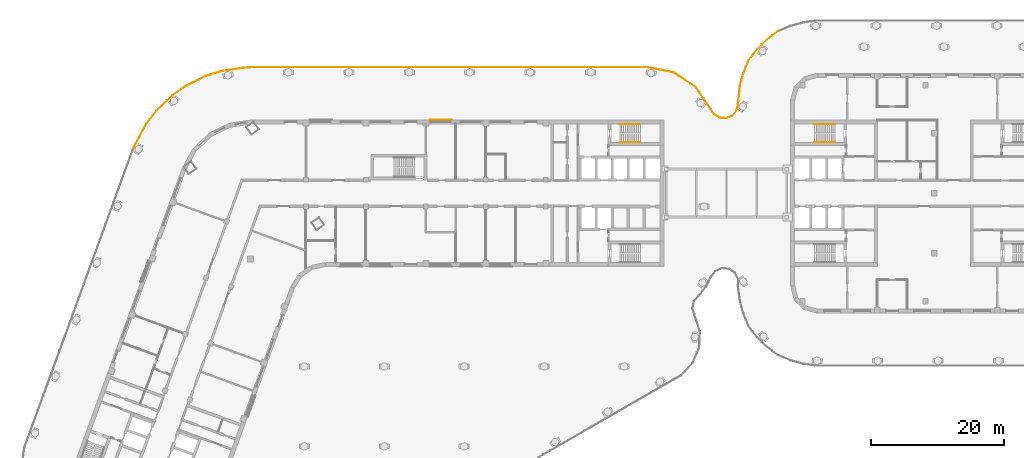
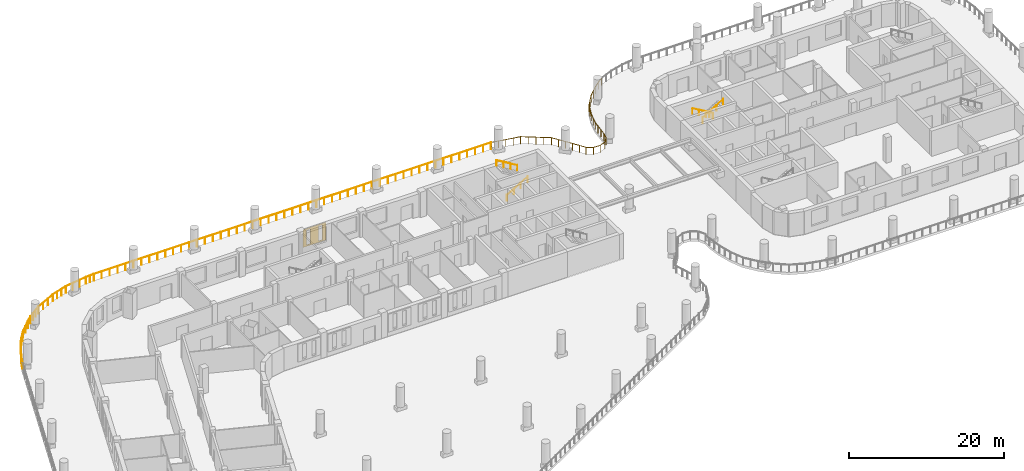
# One storey, part 15 of 18: 6 railings, 1 covering.
"""IFC4 building model written with IfcOpenShell, lengths in metres."""

from ifc_helpers import new_model, si_unit, direction, frame, origin, origin_2d, place, context, subcontext, project, spatial, polyline, circle, outline, extrude, material, material_profile, profile_set, type_object, element, save


model = new_model("IFC4")

# Units and contexts
model_context = context("Model", 3, precision=1e-05, world=origin(), true_north=direction((0.0, 1.0)))
body_context = subcontext(model_context, "Body", "Model", "MODEL_VIEW")
ifc_project = project(units=[si_unit("LENGTHUNIT", "METRE"), si_unit("AREAUNIT", "SQUARE_METRE"), si_unit("VOLUMEUNIT", "CUBIC_METRE"), si_unit("PLANEANGLEUNIT", "RADIAN"), si_unit("MASSUNIT", "GRAM", prefix="KILO")], contexts=[model_context])

# Site, building, storey
site_placement = place(None, origin())
site = spatial("IfcSite", under=ifc_project, at=site_placement, CompositionType="ELEMENT")
building_placement = place(site_placement, origin())
building = spatial("IfcBuilding", under=site, at=building_placement, Name="Skarvind Civic Tower", CompositionType="ELEMENT")
storey_placement = place(building_placement, frame((0.0, 0.0, 27.5)))
storey = spatial("IfcBuildingStorey", under=building, at=storey_placement, Name="L05", CompositionType="ELEMENT", Elevation=27.5)

# Railings
ifc_material_1 = material(Name="Stainless steel balustrade", Category="steel")
railing_type_1 = type_object("IfcRailingType", Name="GR1 GUARD 1100", PredefinedType="GUARDRAIL", material=ifc_material_1)
railing_1_placement = place(storey_placement, frame((28.19970703125, 134.353759765625, 0.0)))
element("IfcRailing", 1, at=railing_1_placement, inside=storey, type_object=railing_type_1, Name="PODIUM ROOF TERRACE GUARD", PredefinedType="GUARDRAIL", context=body_context, shape_type="SweptSolid", body=[
    extrude(circle(Radius=0.02392578125, at=origin_2d()), frame((0.0, 0.0, 1.076171875), z_axis=(0.410255540654, 0.911970608826, 0.0), x_axis=(-0.911970608826, 0.410255540654, 0.0)), (0.0, 0.0, 1.0), 1.209228515625),
    extrude(circle(Radius=0.02392578125, at=origin_2d()), frame((0.49609375, 1.102783203125, 1.076171875), z_axis=(0.476554155885, 0.879145116866, 0.0), x_axis=(-0.879145116866, 0.476554155885, 0.0)), (0.0, 0.0, 1.0), 3.337158203125),
    extrude(circle(Radius=0.02392578125, at=origin_2d()), frame((2.08642578125, 4.03662109375, 1.076171875), z_axis=(0.606069734719, 0.795411514034, 0.0), x_axis=(-0.795411514034, 0.606069734719, 0.0)), (0.0, 0.0, 1.0), 2.496337890625),
    extrude(circle(Radius=0.02392578125, at=origin_2d()), frame((3.599365234375, 6.022216796875, 1.076171875), z_axis=(0.721205384488, 0.692721295606, 0.0), x_axis=(-0.692721295606, 0.721205384488, 0.0)), (0.0, 0.0, 1.0), 3.32568359375),
    extrude(circle(Radius=0.02392578125, at=origin_2d()), frame((5.997802734375, 8.325927734375, 1.076171875), z_axis=(0.819117032417, 0.573626435239, 0.0), x_axis=(-0.573626435239, 0.819117032417, 0.0)), (0.0, 0.0, 1.0), 2.49609375),
    extrude(circle(Radius=0.02392578125, at=origin_2d()), frame((8.04248046875, 9.7578125, 1.076171875), z_axis=(0.89763381753, 0.440742021626, 0.0), x_axis=(-0.440742021626, 0.89763381753, 0.0)), (0.0, 0.0, 1.0), 3.32568359375),
    extrude(circle(Radius=0.02392578125, at=origin_2d()), frame((11.02783203125, 11.2236328125, 1.076171875), z_axis=(0.954738939849, 0.297445048262, 0.0), x_axis=(-0.297445048262, 0.954738939849, 0.0)), (0.0, 0.0, 1.0), 2.49609375),
    extrude(circle(Radius=0.02392578125, at=origin_2d()), frame((13.410888671875, 11.966064453125, 1.076171875), z_axis=(0.989118056707, 0.147123994973, 0.0), x_axis=(-0.147123994973, 0.989118056707, 0.0)), (0.0, 0.0, 1.0), 3.337158203125),
    extrude(circle(Radius=0.02392578125, at=origin_2d()), frame((16.711669921875, 12.45703125, 1.076171875), z_axis=(0.997282603645, 0.073670947244, 0.0), x_axis=(-0.073670947244, 0.997282603645, 0.0)), (0.0, 0.0, 1.0), 1.20947265625),
    extrude(circle(Radius=0.02392578125, at=origin_2d()), frame((17.91796875, 12.546142578125, 1.076171875), z_axis=(1.0, 0.0, 0.0), x_axis=(0.0, 1.0, 0.0)), (0.0, 0.0, 1.0), 59.350830078125),
    extrude(circle(Radius=0.02099609375, at=origin_2d()), origin(), (0.0, 0.0, 1.0), 1.052001953125),
    extrude(circle(Radius=0.02099609375, at=origin_2d()), frame((0.248046875, 0.55126953125, 0.0)), (0.0, 0.0, 1.0), 1.052001953125),
    extrude(circle(Radius=0.02099609375, at=origin_2d()), frame((0.49609375, 1.102783203125, 0.0)), (0.0, 0.0, 1.0), 1.052001953125),
    extrude(circle(Radius=0.02099609375, at=origin_2d()), frame((1.026123046875, 2.080810546875, 0.0)), (0.0, 0.0, 1.0), 1.052001953125),
    extrude(circle(Radius=0.02099609375, at=origin_2d()), frame((1.556396484375, 3.05859375, 0.0)), (0.0, 0.0, 1.0), 1.052001953125),
    extrude(circle(Radius=0.02099609375, at=origin_2d()), frame((2.08642578125, 4.03662109375, 0.0)), (0.0, 0.0, 1.0), 1.052001953125),
    extrude(circle(Radius=0.02099609375, at=origin_2d()), frame((2.5908203125, 4.698486328125, 0.0)), (0.0, 0.0, 1.0), 1.052001953125),
    extrude(circle(Radius=0.02099609375, at=origin_2d()), frame((3.094970703125, 5.3603515625, 0.0)), (0.0, 0.0, 1.0), 1.052001953125),
    extrude(circle(Radius=0.02099609375, at=origin_2d()), frame((3.599365234375, 6.022216796875, 0.0)), (0.0, 0.0, 1.0), 1.052001953125),
    extrude(circle(Radius=0.02099609375, at=origin_2d()), frame((4.39892578125, 6.7900390625, 0.0)), (0.0, 0.0, 1.0), 1.052001953125),
    extrude(circle(Radius=0.02099609375, at=origin_2d()), frame((5.1982421875, 7.55810546875, 0.0)), (0.0, 0.0, 1.0), 1.052001953125),
    extrude(circle(Radius=0.02099609375, at=origin_2d()), frame((5.997802734375, 8.325927734375, 0.0)), (0.0, 0.0, 1.0), 1.052001953125),
    extrude(circle(Radius=0.02099609375, at=origin_2d()), frame((6.679443359375, 8.80322265625, 0.0)), (0.0, 0.0, 1.0), 1.052001953125),
    extrude(circle(Radius=0.02099609375, at=origin_2d()), frame((7.36083984375, 9.280517578125, 0.0)), (0.0, 0.0, 1.0), 1.052001953125),
    extrude(circle(Radius=0.02099609375, at=origin_2d()), frame((8.04248046875, 9.7578125, 0.0)), (0.0, 0.0, 1.0), 1.052001953125),
    extrude(circle(Radius=0.02099609375, at=origin_2d()), frame((9.03759765625, 10.246337890625, 0.0)), (0.0, 0.0, 1.0), 1.052001953125),
    extrude(circle(Radius=0.02099609375, at=origin_2d()), frame((10.03271484375, 10.735107421875, 0.0)), (0.0, 0.0, 1.0), 1.052001953125),
    extrude(circle(Radius=0.02099609375, at=origin_2d()), frame((11.02783203125, 11.2236328125, 0.0)), (0.0, 0.0, 1.0), 1.052001953125),
    extrude(circle(Radius=0.02099609375, at=origin_2d()), frame((11.822265625, 11.47119140625, 0.0)), (0.0, 0.0, 1.0), 1.052001953125),
    extrude(circle(Radius=0.02099609375, at=origin_2d()), frame((12.616455078125, 11.718505859375, 0.0)), (0.0, 0.0, 1.0), 1.052001953125),
    extrude(circle(Radius=0.02099609375, at=origin_2d()), frame((13.410888671875, 11.966064453125, 0.0)), (0.0, 0.0, 1.0), 1.052001953125),
    extrude(circle(Radius=0.02099609375, at=origin_2d()), frame((14.51123046875, 12.129638671875, 0.0)), (0.0, 0.0, 1.0), 1.052001953125),
    extrude(circle(Radius=0.02099609375, at=origin_2d()), frame((15.611328125, 12.29345703125, 0.0)), (0.0, 0.0, 1.0), 1.052001953125),
    extrude(circle(Radius=0.02099609375, at=origin_2d()), frame((16.711669921875, 12.45703125, 0.0)), (0.0, 0.0, 1.0), 1.052001953125),
    extrude(circle(Radius=0.02099609375, at=origin_2d()), frame((17.31494140625, 12.50146484375, 0.0)), (0.0, 0.0, 1.0), 1.052001953125),
    extrude(circle(Radius=0.02099609375, at=origin_2d()), frame((17.91796875, 12.546142578125, 0.0)), (0.0, 0.0, 1.0), 1.052001953125),
    extrude(circle(Radius=0.02099609375, at=origin_2d()), frame((19.10498046875, 12.546142578125, 0.0)), (0.0, 0.0, 1.0), 1.052001953125),
    extrude(circle(Radius=0.02099609375, at=origin_2d()), frame((20.2919921875, 12.546142578125, 0.0)), (0.0, 0.0, 1.0), 1.052001953125),
    extrude(circle(Radius=0.02099609375, at=origin_2d()), frame((21.47900390625, 12.546142578125, 0.0)), (0.0, 0.0, 1.0), 1.052001953125),
    extrude(circle(Radius=0.02099609375, at=origin_2d()), frame((22.666015625, 12.546142578125, 0.0)), (0.0, 0.0, 1.0), 1.052001953125),
    extrude(circle(Radius=0.02099609375, at=origin_2d()), frame((23.85302734375, 12.546142578125, 0.0)), (0.0, 0.0, 1.0), 1.052001953125),
    extrude(circle(Radius=0.02099609375, at=origin_2d()), frame((25.0400390625, 12.546142578125, 0.0)), (0.0, 0.0, 1.0), 1.052001953125),
    extrude(circle(Radius=0.02099609375, at=origin_2d()), frame((26.22705078125, 12.546142578125, 0.0)), (0.0, 0.0, 1.0), 1.052001953125),
    extrude(circle(Radius=0.02099609375, at=origin_2d()), frame((27.4140625, 12.546142578125, 0.0)), (0.0, 0.0, 1.0), 1.052001953125),
    extrude(circle(Radius=0.02099609375, at=origin_2d()), frame((28.60107421875, 12.546142578125, 0.0)), (0.0, 0.0, 1.0), 1.052001953125),
    extrude(circle(Radius=0.02099609375, at=origin_2d()), frame((29.7880859375, 12.546142578125, 0.0)), (0.0, 0.0, 1.0), 1.052001953125),
    extrude(circle(Radius=0.02099609375, at=origin_2d()), frame((30.97509765625, 12.546142578125, 0.0)), (0.0, 0.0, 1.0), 1.052001953125),
    extrude(circle(Radius=0.02099609375, at=origin_2d()), frame((32.162109375, 12.546142578125, 0.0)), (0.0, 0.0, 1.0), 1.052001953125),
    extrude(circle(Radius=0.02099609375, at=origin_2d()), frame((33.34912109375, 12.546142578125, 0.0)), (0.0, 0.0, 1.0), 1.052001953125),
    extrude(circle(Radius=0.02099609375, at=origin_2d()), frame((34.5361328125, 12.546142578125, 0.0)), (0.0, 0.0, 1.0), 1.052001953125),
    extrude(circle(Radius=0.02099609375, at=origin_2d()), frame((35.72314453125, 12.546142578125, 0.0)), (0.0, 0.0, 1.0), 1.052001953125),
    extrude(circle(Radius=0.02099609375, at=origin_2d()), frame((36.91015625, 12.546142578125, 0.0)), (0.0, 0.0, 1.0), 1.052001953125),
    extrude(circle(Radius=0.02099609375, at=origin_2d()), frame((38.09716796875, 12.546142578125, 0.0)), (0.0, 0.0, 1.0), 1.052001953125),
    extrude(circle(Radius=0.02099609375, at=origin_2d()), frame((39.2841796875, 12.546142578125, 0.0)), (0.0, 0.0, 1.0), 1.052001953125),
    extrude(circle(Radius=0.02099609375, at=origin_2d()), frame((40.47119140625, 12.546142578125, 0.0)), (0.0, 0.0, 1.0), 1.052001953125),
    extrude(circle(Radius=0.02099609375, at=origin_2d()), frame((41.658203125, 12.546142578125, 0.0)), (0.0, 0.0, 1.0), 1.052001953125),
    extrude(circle(Radius=0.02099609375, at=origin_2d()), frame((42.84521484375, 12.546142578125, 0.0)), (0.0, 0.0, 1.0), 1.052001953125),
    extrude(circle(Radius=0.02099609375, at=origin_2d()), frame((44.0322265625, 12.546142578125, 0.0)), (0.0, 0.0, 1.0), 1.052001953125),
    extrude(circle(Radius=0.02099609375, at=origin_2d()), frame((45.21923828125, 12.546142578125, 0.0)), (0.0, 0.0, 1.0), 1.052001953125),
    extrude(circle(Radius=0.02099609375, at=origin_2d()), frame((46.40625, 12.546142578125, 0.0)), (0.0, 0.0, 1.0), 1.052001953125),
    extrude(circle(Radius=0.02099609375, at=origin_2d()), frame((47.59326171875, 12.546142578125, 0.0)), (0.0, 0.0, 1.0), 1.052001953125),
    extrude(circle(Radius=0.02099609375, at=origin_2d()), frame((48.780517578125, 12.546142578125, 0.0)), (0.0, 0.0, 1.0), 1.052001953125),
    extrude(circle(Radius=0.02099609375, at=origin_2d()), frame((49.967529296875, 12.546142578125, 0.0)), (0.0, 0.0, 1.0), 1.052001953125),
    extrude(circle(Radius=0.02099609375, at=origin_2d()), frame((51.154541015625, 12.546142578125, 0.0)), (0.0, 0.0, 1.0), 1.052001953125),
    extrude(circle(Radius=0.02099609375, at=origin_2d()), frame((52.341552734375, 12.546142578125, 0.0)), (0.0, 0.0, 1.0), 1.052001953125),
    extrude(circle(Radius=0.02099609375, at=origin_2d()), frame((53.528564453125, 12.546142578125, 0.0)), (0.0, 0.0, 1.0), 1.052001953125),
    extrude(circle(Radius=0.02099609375, at=origin_2d()), frame((54.715576171875, 12.546142578125, 0.0)), (0.0, 0.0, 1.0), 1.052001953125),
    extrude(circle(Radius=0.02099609375, at=origin_2d()), frame((55.902587890625, 12.546142578125, 0.0)), (0.0, 0.0, 1.0), 1.052001953125),
    extrude(circle(Radius=0.02099609375, at=origin_2d()), frame((57.089599609375, 12.546142578125, 0.0)), (0.0, 0.0, 1.0), 1.052001953125),
    extrude(circle(Radius=0.02099609375, at=origin_2d()), frame((58.276611328125, 12.546142578125, 0.0)), (0.0, 0.0, 1.0), 1.052001953125),
    extrude(circle(Radius=0.02099609375, at=origin_2d()), frame((59.463623046875, 12.546142578125, 0.0)), (0.0, 0.0, 1.0), 1.052001953125),
    extrude(circle(Radius=0.02099609375, at=origin_2d()), frame((60.650634765625, 12.546142578125, 0.0)), (0.0, 0.0, 1.0), 1.052001953125),
    extrude(circle(Radius=0.02099609375, at=origin_2d()), frame((61.837646484375, 12.546142578125, 0.0)), (0.0, 0.0, 1.0), 1.052001953125),
    extrude(circle(Radius=0.02099609375, at=origin_2d()), frame((63.024658203125, 12.546142578125, 0.0)), (0.0, 0.0, 1.0), 1.052001953125),
    extrude(circle(Radius=0.02099609375, at=origin_2d()), frame((64.211669921875, 12.546142578125, 0.0)), (0.0, 0.0, 1.0), 1.052001953125),
    extrude(circle(Radius=0.02099609375, at=origin_2d()), frame((65.398681640625, 12.546142578125, 0.0)), (0.0, 0.0, 1.0), 1.052001953125),
    extrude(circle(Radius=0.02099609375, at=origin_2d()), frame((66.585693359375, 12.546142578125, 0.0)), (0.0, 0.0, 1.0), 1.052001953125),
    extrude(circle(Radius=0.02099609375, at=origin_2d()), frame((67.772705078125, 12.546142578125, 0.0)), (0.0, 0.0, 1.0), 1.052001953125),
    extrude(circle(Radius=0.02099609375, at=origin_2d()), frame((68.959716796875, 12.546142578125, 0.0)), (0.0, 0.0, 1.0), 1.052001953125),
    extrude(circle(Radius=0.02099609375, at=origin_2d()), frame((70.146728515625, 12.546142578125, 0.0)), (0.0, 0.0, 1.0), 1.052001953125),
    extrude(circle(Radius=0.02099609375, at=origin_2d()), frame((71.333740234375, 12.546142578125, 0.0)), (0.0, 0.0, 1.0), 1.052001953125),
    extrude(circle(Radius=0.02099609375, at=origin_2d()), frame((72.520751953125, 12.546142578125, 0.0)), (0.0, 0.0, 1.0), 1.052001953125),
    extrude(circle(Radius=0.02099609375, at=origin_2d()), frame((73.707763671875, 12.546142578125, 0.0)), (0.0, 0.0, 1.0), 1.052001953125),
    extrude(circle(Radius=0.02099609375, at=origin_2d()), frame((74.894775390625, 12.546142578125, 0.0)), (0.0, 0.0, 1.0), 1.052001953125),
    extrude(circle(Radius=0.02099609375, at=origin_2d()), frame((76.081787109375, 12.546142578125, 0.0)), (0.0, 0.0, 1.0), 1.052001953125),
    extrude(circle(Radius=0.02099609375, at=origin_2d()), frame((77.268798828125, 12.546142578125, 0.0)), (0.0, 0.0, 1.0), 1.052001953125),
])
railing_2_placement = place(storey_placement, frame((105.468505859375, 146.89990234375, 0.0)))
element("IfcRailing", 2, at=railing_2_placement, inside=storey, type_object=railing_type_1, Name="PODIUM ROOF TERRACE GUARD", PredefinedType="GUARDRAIL", context=body_context, shape_type="SweptSolid", body=[
    extrude(circle(Radius=0.02392578125, at=origin_2d()), frame((0.0, 0.0, 1.076171875), z_axis=(0.981591338179, -0.190993310909, 0.0), x_axis=(0.190993310909, 0.981591338179, 0.0)), (0.0, 0.0, 1.0), 4.016357421875),
    extrude(circle(Radius=0.02392578125, at=origin_2d()), frame((3.9423828125, -0.76708984375, 1.076171875), z_axis=(0.835549610108, -0.549415006209, 0.0), x_axis=(0.549415006209, 0.835549610108, 0.0)), (0.0, 0.0, 1.0), 4.005859375),
    extrude(circle(Radius=0.02392578125, at=origin_2d()), frame((7.28955078125, -2.968017578125, 1.076171875), z_axis=(0.564322836703, -0.825554199296, 0.0), x_axis=(0.825554199296, 0.564322836703, 0.0)), (0.0, 0.0, 1.0), 4.024169921875),
    extrude(circle(Radius=0.02392578125, at=origin_2d()), frame((9.560546875, -6.290283203125, 1.076171875), z_axis=(0.541264814617, -0.840852187044, 0.0), x_axis=(0.840852187044, 0.541264814617, 0.0)), (0.0, 0.0, 1.0), 0.948486328125),
    extrude(circle(Radius=0.02392578125, at=origin_2d()), frame((10.073974609375, -7.087890625, 1.076171875), z_axis=(0.86179882266, -0.507250223521, 0.0), x_axis=(0.507250223521, 0.86179882266, 0.0)), (0.0, 0.0, 1.0), 0.9736328125),
    extrude(circle(Radius=0.02392578125, at=origin_2d()), frame((10.9130859375, -7.581787109375, 1.076171875), z_axis=(0.997922710525, -0.064422541222, 0.0), x_axis=(0.064422541222, 0.997922710525, 0.0)), (0.0, 0.0, 1.0), 0.973876953125),
    extrude(circle(Radius=0.02392578125, at=origin_2d()), frame((11.885009765625, -7.64453125, 1.076171875), z_axis=(0.919998865786, 0.39192102132, 0.0), x_axis=(-0.39192102132, 0.919998865786, 0.0)), (0.0, 0.0, 1.0), 0.9736328125),
    extrude(circle(Radius=0.02392578125, at=origin_2d()), frame((12.78076171875, -7.262939453125, 1.076171875), z_axis=(0.644907555621, 0.76426058691, 0.0), x_axis=(-0.76426058691, 0.644907555621, 0.0)), (0.0, 0.0, 1.0), 0.9736328125),
    extrude(circle(Radius=0.02392578125, at=origin_2d()), frame((13.40869140625, -6.518798828125, 1.076171875), z_axis=(0.231770061416, 0.972770599181, 0.0), x_axis=(-0.972770599181, 0.231770061416, 0.0)), (0.0, 0.0, 1.0), 0.95654296875),
    extrude(circle(Radius=0.02392578125, at=origin_2d()), frame((13.63037109375, -5.58837890625, 1.076171875), z_axis=(0.100174200646, 0.994969913879, 0.0), x_axis=(-0.994969913879, 0.100174200646, 0.0)), (0.0, 0.0, 1.0), 2.77587890625),
    extrude(circle(Radius=0.02392578125, at=origin_2d()), frame((13.908447265625, -2.826416015625, 1.076171875), z_axis=(0.258721905101, 0.965951849639, 0.0), x_axis=(-0.965951849639, 0.258721905101, 0.0)), (0.0, 0.0, 1.0), 2.008056640625),
    extrude(circle(Radius=0.02392578125, at=origin_2d()), frame((14.427978515625, -0.88671875, 1.076171875), z_axis=(0.382379250768, 0.924005469996, 0.0), x_axis=(-0.924005469996, 0.382379250768, 0.0)), (0.0, 0.0, 1.0), 2.09423828125),
    extrude(circle(Radius=0.02392578125, at=origin_2d()), frame((15.228759765625, 1.04833984375, 1.076171875), z_axis=(0.609062721856, 0.793122059235, 0.0), x_axis=(-0.793122059235, 0.609062721856, 0.0)), (0.0, 0.0, 1.0), 2.094482421875),
    extrude(circle(Radius=0.02392578125, at=origin_2d()), frame((16.50439453125, 2.70947265625, 1.076171875), z_axis=(0.707106781187, 0.707106781187, 0.0), x_axis=(-0.707106781187, 0.707106781187, 0.0)), (0.0, 0.0, 1.0), 2.0048828125),
    extrude(circle(Radius=0.02392578125, at=origin_2d()), frame((17.922119140625, 4.127197265625, 1.076171875), z_axis=(0.793122059235, 0.609062721856, 0.0), x_axis=(-0.609062721856, 0.793122059235, 0.0)), (0.0, 0.0, 1.0), 2.094482421875),
    extrude(circle(Radius=0.02099609375, at=origin_2d()), origin(), (0.0, 0.0, 1.0), 1.052001953125),
    extrude(circle(Radius=0.02099609375, at=origin_2d()), frame((0.985595703125, -0.19189453125, 0.0)), (0.0, 0.0, 1.0), 1.052001953125),
    extrude(circle(Radius=0.02099609375, at=origin_2d()), frame((1.97119140625, -0.383544921875, 0.0)), (0.0, 0.0, 1.0), 1.052001953125),
    extrude(circle(Radius=0.02099609375, at=origin_2d()), frame((2.956787109375, -0.5751953125, 0.0)), (0.0, 0.0, 1.0), 1.052001953125),
    extrude(circle(Radius=0.02099609375, at=origin_2d()), frame((3.9423828125, -0.76708984375, 0.0)), (0.0, 0.0, 1.0), 1.052001953125),
    extrude(circle(Radius=0.02099609375, at=origin_2d()), frame((4.779296875, -1.3173828125, 0.0)), (0.0, 0.0, 1.0), 1.052001953125),
    extrude(circle(Radius=0.02099609375, at=origin_2d()), frame((5.615966796875, -1.86767578125, 0.0)), (0.0, 0.0, 1.0), 1.052001953125),
    extrude(circle(Radius=0.02099609375, at=origin_2d()), frame((6.45263671875, -2.417724609375, 0.0)), (0.0, 0.0, 1.0), 1.052001953125),
    extrude(circle(Radius=0.02099609375, at=origin_2d()), frame((7.28955078125, -2.968017578125, 0.0)), (0.0, 0.0, 1.0), 1.052001953125),
    extrude(circle(Radius=0.02099609375, at=origin_2d()), frame((7.857421875, -3.798583984375, 0.0)), (0.0, 0.0, 1.0), 1.052001953125),
    extrude(circle(Radius=0.02099609375, at=origin_2d()), frame((8.425048828125, -4.629150390625, 0.0)), (0.0, 0.0, 1.0), 1.052001953125),
    extrude(circle(Radius=0.02099609375, at=origin_2d()), frame((8.99267578125, -5.459716796875, 0.0)), (0.0, 0.0, 1.0), 1.052001953125),
    extrude(circle(Radius=0.02099609375, at=origin_2d()), frame((9.560546875, -6.290283203125, 0.0)), (0.0, 0.0, 1.0), 1.052001953125),
    extrude(circle(Radius=0.02099609375, at=origin_2d()), frame((10.073974609375, -7.087890625, 0.0)), (0.0, 0.0, 1.0), 1.052001953125),
    extrude(circle(Radius=0.02099609375, at=origin_2d()), frame((10.9130859375, -7.581787109375, 0.0)), (0.0, 0.0, 1.0), 1.052001953125),
    extrude(circle(Radius=0.02099609375, at=origin_2d()), frame((11.885009765625, -7.64453125, 0.0)), (0.0, 0.0, 1.0), 1.052001953125),
    extrude(circle(Radius=0.02099609375, at=origin_2d()), frame((12.78076171875, -7.262939453125, 0.0)), (0.0, 0.0, 1.0), 1.052001953125),
    extrude(circle(Radius=0.02099609375, at=origin_2d()), frame((13.40869140625, -6.518798828125, 0.0)), (0.0, 0.0, 1.0), 1.052001953125),
    extrude(circle(Radius=0.02099609375, at=origin_2d()), frame((13.63037109375, -5.58837890625, 0.0)), (0.0, 0.0, 1.0), 1.052001953125),
    extrude(circle(Radius=0.02099609375, at=origin_2d()), frame((13.72314453125, -4.667724609375, 0.0)), (0.0, 0.0, 1.0), 1.052001953125),
    extrude(circle(Radius=0.02099609375, at=origin_2d()), frame((13.815673828125, -3.7470703125, 0.0)), (0.0, 0.0, 1.0), 1.052001953125),
    extrude(circle(Radius=0.02099609375, at=origin_2d()), frame((13.908447265625, -2.826416015625, 0.0)), (0.0, 0.0, 1.0), 1.052001953125),
    extrude(circle(Radius=0.02099609375, at=origin_2d()), frame((14.168212890625, -1.8564453125, 0.0)), (0.0, 0.0, 1.0), 1.052001953125),
    extrude(circle(Radius=0.02099609375, at=origin_2d()), frame((14.427978515625, -0.88671875, 0.0)), (0.0, 0.0, 1.0), 1.052001953125),
    extrude(circle(Radius=0.02099609375, at=origin_2d()), frame((14.828369140625, 0.080810546875, 0.0)), (0.0, 0.0, 1.0), 1.052001953125),
    extrude(circle(Radius=0.02099609375, at=origin_2d()), frame((15.228759765625, 1.04833984375, 0.0)), (0.0, 0.0, 1.0), 1.052001953125),
    extrude(circle(Radius=0.02099609375, at=origin_2d()), frame((15.86669921875, 1.87890625, 0.0)), (0.0, 0.0, 1.0), 1.052001953125),
    extrude(circle(Radius=0.02099609375, at=origin_2d()), frame((16.50439453125, 2.70947265625, 0.0)), (0.0, 0.0, 1.0), 1.052001953125),
    extrude(circle(Radius=0.02099609375, at=origin_2d()), frame((17.21337890625, 3.41845703125, 0.0)), (0.0, 0.0, 1.0), 1.052001953125),
    extrude(circle(Radius=0.02099609375, at=origin_2d()), frame((17.922119140625, 4.127197265625, 0.0)), (0.0, 0.0, 1.0), 1.052001953125),
    extrude(circle(Radius=0.02099609375, at=origin_2d()), frame((18.752685546875, 4.76513671875, 0.0)), (0.0, 0.0, 1.0), 1.052001953125),
    extrude(circle(Radius=0.02099609375, at=origin_2d()), frame((19.583251953125, 5.40283203125, 0.0)), (0.0, 0.0, 1.0), 1.052001953125),
])
ifc_material_2 = material(Name="Painted steel handrail", Category="steel")
railing_type_2 = type_object("IfcRailingType", Name="Stair handrail 900", PredefinedType="HANDRAIL", material=ifc_material_2)
railing_3_placement = place(storey_placement, frame((101.35009765625, 135.64990234375, 0.166748046875)))
element("IfcRailing", 3, at=railing_3_placement, inside=storey, type_object=railing_type_2, Name="Stair handrail", PredefinedType="HANDRAIL", context=body_context, shape_type="SweptSolid", body=[
    extrude(circle(Radius=0.02392578125, at=origin_2d()), frame((0.0, 0.0, 0.8759765625), z_axis=(0.859290745958, 0.0, 0.51148745235), x_axis=(0.0, 1.0, 0.0)), (0.0, 0.0, 1.0), 3.584228515625),
    extrude(circle(Radius=0.02099609375, at=origin_2d()), origin(), (0.0, 0.0, 1.0), 0.851806640625),
    extrude(circle(Radius=0.02099609375, at=origin_2d()), frame((1.026611328125, 0.0, 0.611083984375)), (0.0, 0.0, 1.0), 0.851806640625),
    extrude(circle(Radius=0.02099609375, at=origin_2d()), frame((2.05322265625, 0.0, 1.22216796875)), (0.0, 0.0, 1.0), 0.851806640625),
    extrude(circle(Radius=0.02099609375, at=origin_2d()), frame((3.079833984375, 0.0, 1.833251953125)), (0.0, 0.0, 1.0), 0.851806640625),
])
for number, where, name in (
    (4, (104.429931640625, 138.35009765625, 2.166748046875), "Stair handrail"),
    (5, (133.64990234375, 138.35009765625, 0.166748046875), "Stair handrail"),
):
    element("IfcRailing", number, at=place(storey_placement, frame(where)), inside=storey, type_object=railing_type_2, Name=name, PredefinedType="HANDRAIL", context=body_context, shape_type="SweptSolid", body=[
        extrude(circle(Radius=0.02392578125, at=origin_2d()), frame((0.0, 0.0, 0.8759765625), z_axis=(-0.859290745958, 0.0, 0.51148745235), x_axis=(0.0, -1.0, 0.0)), (0.0, 0.0, 1.0), 3.584228515625),
        extrude(circle(Radius=0.02099609375, at=origin_2d()), origin(), (0.0, 0.0, 1.0), 0.851806640625),
        extrude(circle(Radius=0.02099609375, at=origin_2d()), frame((-1.026611328125, 0.0, 0.611083984375)), (0.0, 0.0, 1.0), 0.851806640625),
        extrude(circle(Radius=0.02099609375, at=origin_2d()), frame((-2.05322265625, 0.0, 1.22216796875)), (0.0, 0.0, 1.0), 0.851806640625),
        extrude(circle(Radius=0.02099609375, at=origin_2d()), frame((-3.079833984375, 0.0, 1.833251953125)), (0.0, 0.0, 1.0), 0.851806640625),
    ])
railing_4_placement = place(storey_placement, frame((130.570068359375, 135.64990234375, 2.166748046875)))
element("IfcRailing", 6, at=railing_4_placement, inside=storey, type_object=railing_type_2, Name="Stair handrail", PredefinedType="HANDRAIL", context=body_context, shape_type="SweptSolid", body=[
    extrude(circle(Radius=0.02392578125, at=origin_2d()), frame((0.0, 0.0, 0.8759765625), z_axis=(0.859290745958, 0.0, 0.51148745235), x_axis=(0.0, 1.0, 0.0)), (0.0, 0.0, 1.0), 3.584228515625),
    extrude(circle(Radius=0.02099609375, at=origin_2d()), origin(), (0.0, 0.0, 1.0), 0.851806640625),
    extrude(circle(Radius=0.02099609375, at=origin_2d()), frame((1.026611328125, 0.0, 0.611083984375)), (0.0, 0.0, 1.0), 0.851806640625),
    extrude(circle(Radius=0.02099609375, at=origin_2d()), frame((2.05322265625, 0.0, 1.22216796875)), (0.0, 0.0, 1.0), 0.851806640625),
    extrude(circle(Radius=0.02099609375, at=origin_2d()), frame((3.079833984375, 0.0, 1.833251953125)), (0.0, 0.0, 1.0), 0.851806640625),
])

# Covering
ifc_material_3 = material(Name="Terracotta", Category="masonry")
ifc_material_profile = material_profile(ifc_material_3, outline(polyline([(-1.699951171875, -1.39990234375), (1.699951171875, -1.39990234375), (1.699951171875, 1.39990234375), (-1.699951171875, 1.39990234375), (-1.699951171875, -1.39990234375)]), holes=[polyline([(-1.199951171875, -1.18994140625), (-0.60009765625, -1.18994140625), (-0.60009765625, 1.18994140625), (-1.199951171875, 1.18994140625), (-1.199951171875, -1.18994140625)]), polyline([(0.60009765625, -1.18994140625), (1.199951171875, -1.18994140625), (1.199951171875, 1.18994140625), (0.60009765625, 1.18994140625), (0.60009765625, -1.18994140625)])]), Name="TERRACOTTA SCREEN 3400 x 2800, SLIT PITCH 1800")
ifc_profile_set = profile_set([ifc_material_profile], Name="Terracotta")
covering_type = type_object("IfcCoveringType", Name="TERRACOTTA SCREEN 3400 x 2800, SLIT PITCH 1800", PredefinedType="CLADDING", material=ifc_profile_set)
covering_placement = place(storey_placement, frame((74.5, 139.0, 2.10009765625), z_axis=(0.0, 1.0, 0.0), x_axis=(-1.0, 0.0, 0.0)))
element("IfcCovering", 7, at=covering_placement, inside=storey, type_object=covering_type, Name="TERRACOTTA SCREEN", PredefinedType="CLADDING", context=body_context, shape_type="SweptSolid", body=[
    extrude(outline(polyline([(-1.699951171875, -1.39990234375), (1.699951171875, -1.39990234375), (1.699951171875, 1.39990234375), (-1.699951171875, 1.39990234375), (-1.699951171875, -1.39990234375)]), holes=[polyline([(-1.199951171875, -1.18994140625), (-0.60009765625, -1.18994140625), (-0.60009765625, 1.18994140625), (-1.199951171875, 1.18994140625), (-1.199951171875, -1.18994140625)]), polyline([(0.60009765625, -1.18994140625), (1.199951171875, -1.18994140625), (1.199951171875, 1.18994140625), (0.60009765625, 1.18994140625), (0.60009765625, -1.18994140625)])]), origin(), (0.0, 0.0, 1.0), 0.06005859375),
])

save(model, "model.ifc")
